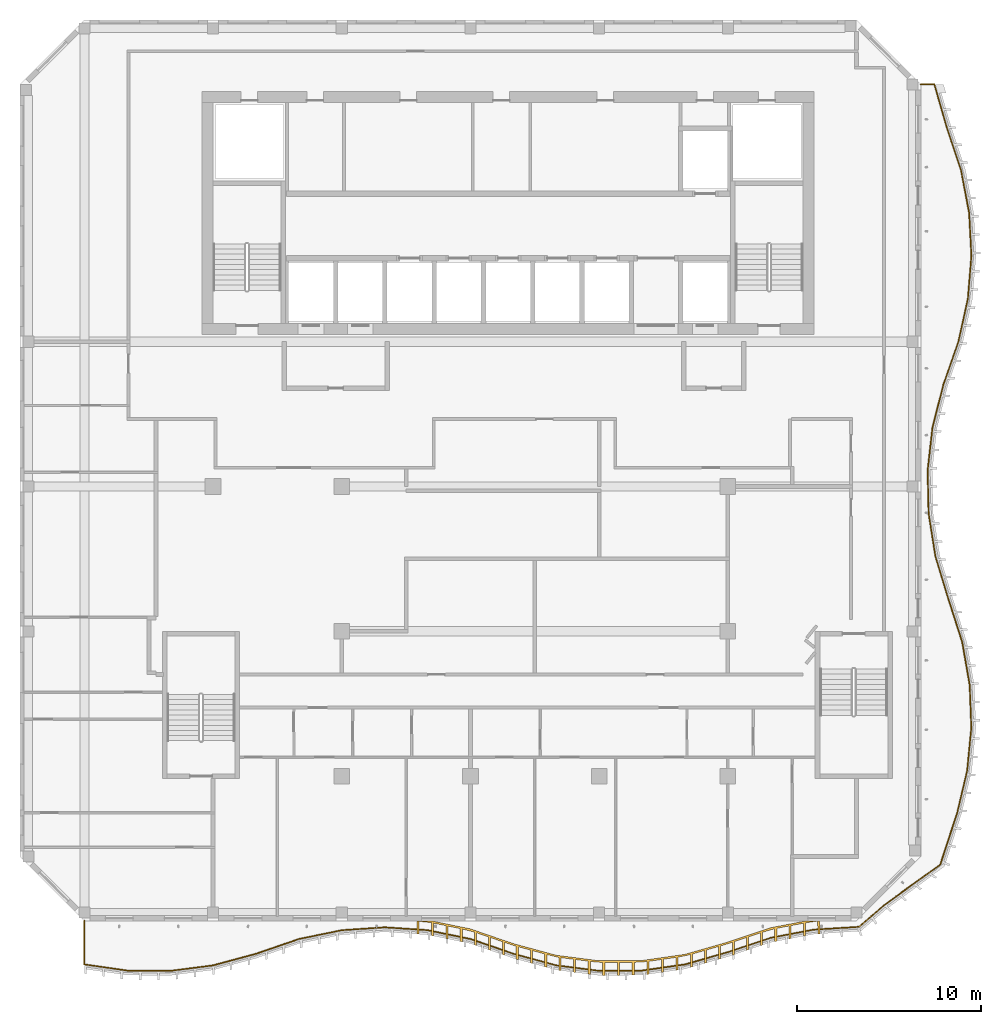
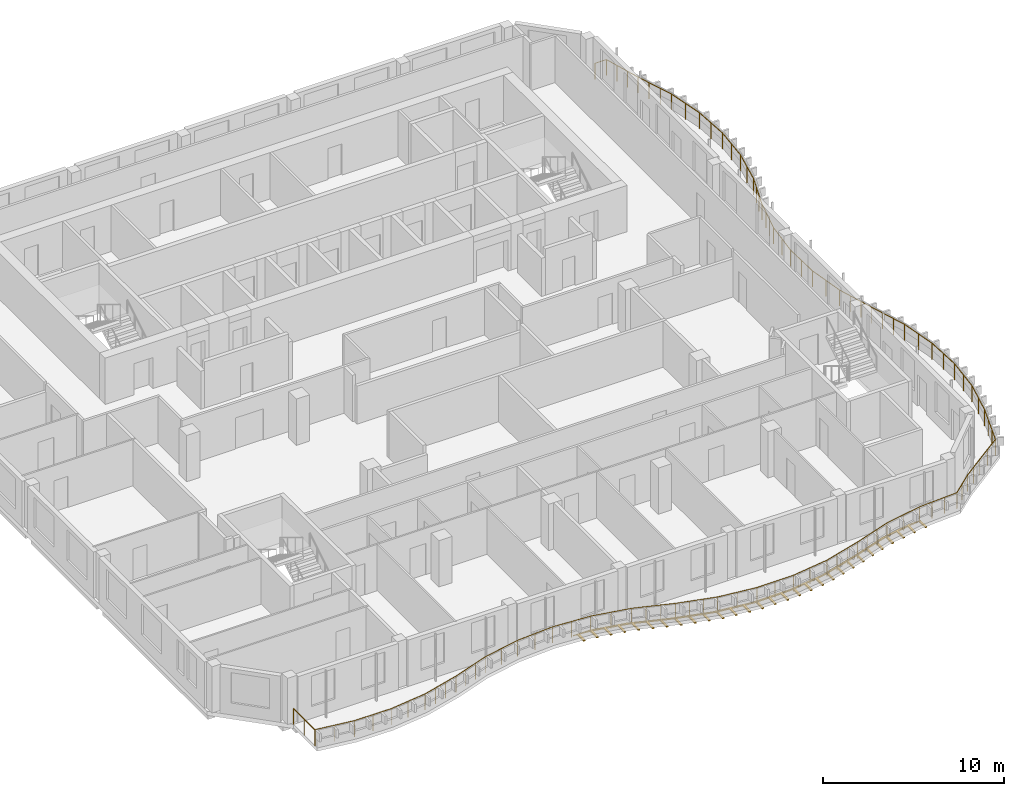
# One storey, part 13 of 17: 1 railing, 1 shading device.
"""IFC4 building model written with IfcOpenShell, lengths in metres."""

import ifcopenshell
import ifcopenshell.guid

model = None  # the IFC model being written
_history = None  # IfcOwnerHistory: only IFC2X3 demands one
_inside = {}  # id of a spatial element -> (the spatial element, [elements in it])
_under = {}  # id of a project, library or spatial element -> (it, [spatial elements below it])
_declared = {}  # id of a project -> (the project, [libraries it declares])
_typed = {}  # id of a type object -> (the type object, [elements of that type])
_made_of = {}  # id of a material, layer set ... -> (it, [elements and type objects made of it])


def new_model(schema):
    """Start an empty IFC model of exactly this schema.

    Asked for "IFC4X3", IfcOpenShell would pick the latest addendum, in which some entities
    have other attributes; the version numbers below select the first issue.
    IFC2X3 requires an IfcOwnerHistory on every rooted entity: one is made here for all.
    """
    global model, _history
    if schema == "IFC4X3":
        model = ifcopenshell.file(schema_version=(4, 3, 0, 0))
    else:
        model = ifcopenshell.file(schema=schema)
    _inside.clear()
    _under.clear()
    _declared.clear()
    _typed.clear()
    _made_of.clear()
    _history = None
    if model.schema == "IFC2X3":
        org = make("IfcOrganization", Name="unknown")
        user = make(
            "IfcPersonAndOrganization",
            ThePerson=make("IfcPerson", FamilyName="unknown"),
            TheOrganization=org,
        )
        app = make(
            "IfcApplication",
            ApplicationDeveloper=org,
            Version="unknown",
            ApplicationFullName="unknown",
            ApplicationIdentifier="unknown",
        )
        _history = make(
            "IfcOwnerHistory",
            OwningUser=user,
            OwningApplication=app,
            ChangeAction="ADDED",
            CreationDate=0,
        )
    return model


def make(cls, **values):
    """One entity of the class cls with the attributes given. An attribute that is None is left unset."""
    return model.create_entity(
        cls, **{name: value for name, value in values.items() if value is not None}
    )


def rooted(cls, **values):
    """An entity with a GlobalId (a new one), such as an element, a storey or a relation."""
    return make(cls, GlobalId=ifcopenshell.guid.new(), OwnerHistory=_history, **values)


def si_unit(unit_type, name, prefix=None):
    """IfcSIUnit, for example si_unit("LENGTHUNIT", "METRE", prefix="MILLI")."""
    return make("IfcSIUnit", UnitType=unit_type, Prefix=prefix, Name=name)


def assignment(units):
    """IfcUnitAssignment: the units of a project."""
    return None if units is None else make("IfcUnitAssignment", Units=units)


def point(xyz):
    """IfcCartesianPoint."""
    return None if xyz is None else make("IfcCartesianPoint", Coordinates=xyz)


def direction(xyz):
    """IfcDirection."""
    return None if xyz is None else make("IfcDirection", DirectionRatios=xyz)


def frame(location, z_axis=None, x_axis=None):
    """IfcAxis2Placement3D, a coordinate frame: its origin and axes. An axis left out is left unset."""
    return make(
        "IfcAxis2Placement3D",
        Location=point(location),
        Axis=direction(z_axis),
        RefDirection=direction(x_axis),
    )


def frame_2d(location, x_axis=None):
    """IfcAxis2Placement2D, a coordinate frame in the plane: its origin and x axis."""
    return make(
        "IfcAxis2Placement2D", Location=point(location), RefDirection=direction(x_axis)
    )


def origin():
    """The frame at (0, 0, 0) with its axes left unset."""
    return frame((0.0, 0.0, 0.0))


def origin_2d():
    """The frame at (0, 0) in the plane with its x axis left unset."""
    return frame_2d((0.0, 0.0))


def place(relative_to, where):
    """IfcLocalPlacement: puts the frame where relative to a parent placement (None: the world)."""
    return make(
        "IfcLocalPlacement", PlacementRelTo=relative_to, RelativePlacement=where
    )


def context(
    kind, dimensions, precision=None, world=None, true_north=None, identifier=None
):
    """IfcGeometricRepresentationContext, for example the 3D "Model" context."""
    return make(
        "IfcGeometricRepresentationContext",
        ContextIdentifier=identifier,
        ContextType=kind,
        CoordinateSpaceDimension=dimensions,
        Precision=precision,
        WorldCoordinateSystem=world,
        TrueNorth=true_north,
    )


def subcontext(parent, identifier, kind, view, scale=None):
    """IfcGeometricRepresentationSubContext, for example "Body" below "Model"."""
    return make(
        "IfcGeometricRepresentationSubContext",
        ContextIdentifier=identifier,
        ContextType=kind,
        ParentContext=parent,
        TargetScale=scale,
        TargetView=view,
    )


def project(units=None, contexts=None):
    """IfcProject with its units and contexts."""
    return rooted(
        "IfcProject",
        Name="project",
        RepresentationContexts=contexts,
        UnitsInContext=assignment(units),
    )


def spatial(cls, under=None, at=None, **own):
    """A site, building, storey or space (cls), placed at a placement, below another one or the project."""
    s = rooted(cls, ObjectPlacement=at, **own)
    if under is not None:
        _under.setdefault(under.id(), (under, []))[1].append(s)
    return s


def polyline(points):
    """IfcPolyline through the points."""
    return make("IfcPolyline", Points=[point(p) for p in points])


def profile(cls, at=None, kind="AREA", **sizes):
    """A parametric profile (cls). Its sizes go by their IFC names, for example OverallWidth=200.0."""
    return make(cls, ProfileType=kind, Position=at, **sizes)


def circle(**sizes):
    """IfcCircleProfileDef."""
    return profile("IfcCircleProfileDef", **sizes)


def outline(outer, holes=None, kind="AREA"):
    """IfcArbitraryClosedProfileDef: a profile drawn as a closed curve; with holes, ...WithVoids."""
    if holes is None:
        return make("IfcArbitraryClosedProfileDef", ProfileType=kind, OuterCurve=outer)
    return make(
        "IfcArbitraryProfileDefWithVoids",
        ProfileType=kind,
        OuterCurve=outer,
        InnerCurves=holes,
    )


def extrude(swept, where, along, depth):
    """IfcExtrudedAreaSolid: the profile swept, set in the frame where, extruded along a direction by depth."""
    return make(
        "IfcExtrudedAreaSolid",
        SweptArea=swept,
        Position=where,
        ExtrudedDirection=direction(along),
        Depth=depth,
    )


def shape(context_of_items, identifier, shape_type, items):
    """IfcShapeRepresentation: the items that make up one representation, for example the "Body"."""
    return make(
        "IfcShapeRepresentation",
        ContextOfItems=context_of_items,
        RepresentationIdentifier=identifier,
        RepresentationType=shape_type,
        Items=items,
    )


def source(mapping_origin, context_of_items, identifier, shape_type, items):
    """IfcRepresentationMap: a shape defined once, which mapped items show again and again."""
    return make(
        "IfcRepresentationMap",
        MappingOrigin=mapping_origin,
        MappedRepresentation=shape(context_of_items, identifier, shape_type, items),
    )


def transform(
    local_origin,
    x_axis=None,
    y_axis=None,
    z_axis=None,
    scale=None,
    scale2=None,
    scale3=None,
    uniform=True,
):
    """IfcCartesianTransformationOperator3D, or its non-uniform kind. x_axis, y_axis, z_axis: its Axis1, 2, 3."""
    if uniform:
        return make(
            "IfcCartesianTransformationOperator3D",
            Axis1=direction(x_axis),
            Axis2=direction(y_axis),
            LocalOrigin=point(local_origin),
            Scale=scale,
            Axis3=direction(z_axis),
        )
    return make(
        "IfcCartesianTransformationOperator3DnonUniform",
        Axis1=direction(x_axis),
        Axis2=direction(y_axis),
        LocalOrigin=point(local_origin),
        Scale=scale,
        Axis3=direction(z_axis),
        Scale2=scale2,
        Scale3=scale3,
    )


def mapped(mapping_source, mapping_target):
    """IfcMappedItem: shows the shape of a source again, moved by a transform."""
    return make(
        "IfcMappedItem", MappingSource=mapping_source, MappingTarget=mapping_target
    )


def material(Name=None, Category=None):
    """IfcMaterial."""
    return make("IfcMaterial", Name=Name, Category=Category)


def layer(
    of_material, thickness, ventilated=None, Name=None, Category=None, Priority=None
):
    """IfcMaterialLayer: one layer of a wall or slab, of a material (None: an air gap)."""
    return make(
        "IfcMaterialLayer",
        Material=of_material,
        LayerThickness=thickness,
        IsVentilated=ventilated,
        Name=Name,
        Category=Category,
        Priority=Priority,
    )


def layer_set(layers, Name=None):
    """IfcMaterialLayerSet."""
    return make("IfcMaterialLayerSet", MaterialLayers=layers, LayerSetName=Name)


def made_of(thing, what):
    """Note that an element or type object is made of a material, layer set ...; save() writes the relation."""
    if what is not None:
        _made_of.setdefault(what.id(), (what, []))[1].append(thing)
    return thing


def type_object(cls, material=None, **own):
    """A type object (cls), such as IfcWallType, which elements share."""
    return made_of(rooted(cls, **own), material)


def element(
    cls,
    number,
    at=None,
    inside=None,
    cuts=None,
    type_object=None,
    material=None,
    context=None,
    identifier="Body",
    shape_type=None,
    held_by="IfcProductDefinitionShape",
    body=None,
    shapes=None,
    **own,
):
    """One element of the class cls, such as IfcWall. Its Tag is "e" and its number.

    at: its placement. inside: the storey or other place that contains it. cuts: it is an
    opening in that element (IfcRelVoidsElement). A single representation is given by context,
    identifier, shape_type and body (its items); several are given by shapes. held_by: the class
    of the entity that holds the representations. save() writes the other relations.
    """
    e = rooted(cls, Tag="e%d" % number, ObjectPlacement=at, **own)
    if body is not None:
        shapes = [shape(context, identifier, shape_type, body)]
    if shapes is not None:
        e.Representation = make(held_by, Representations=shapes)
    if inside is not None:
        _inside.setdefault(inside.id(), (inside, []))[1].append(e)
    if cuts is not None:
        rooted(
            "IfcRelVoidsElement", RelatingBuildingElement=cuts, RelatedOpeningElement=e
        )
    if type_object is not None:
        _typed.setdefault(type_object.id(), (type_object, []))[1].append(e)
    return made_of(e, material)


def aggregate(whole, parts):
    """IfcRelAggregates: a whole, such as a stair, and the parts it consists of."""
    return rooted("IfcRelAggregates", RelatingObject=whole, RelatedObjects=parts)


def save(model, path):
    """Write the relations noted so far, then the file.

    IfcRelAggregates (storeys below a building ...), IfcRelContainedInSpatialStructure (elements
    in a storey), IfcRelDefinesByType, IfcRelAssociatesMaterial and IfcRelDeclares: one each for
    every whole, place, type object, material and project.
    """
    for whole, parts in _under.values():
        aggregate(whole, parts)
    for where, things in _inside.values():
        rooted(
            "IfcRelContainedInSpatialStructure",
            RelatedElements=things,
            RelatingStructure=where,
        )
    for kind, things in _typed.values():
        rooted("IfcRelDefinesByType", RelatedObjects=things, RelatingType=kind)
    for what, things in _made_of.values():
        rooted("IfcRelAssociatesMaterial", RelatedObjects=things, RelatingMaterial=what)
    for by, libraries in _declared.values():
        rooted("IfcRelDeclares", RelatingContext=by, RelatedDefinitions=libraries)
    model.write(path)


model = new_model("IFC4")

# Units and contexts
model_context = context("Model", 3, precision=1e-05, world=origin(), true_north=direction((0.0, 1.0)))
body_context = subcontext(model_context, "Body", "Model", "MODEL_VIEW")
ifc_project = project(units=[si_unit("LENGTHUNIT", "METRE"), si_unit("AREAUNIT", "SQUARE_METRE"), si_unit("VOLUMEUNIT", "CUBIC_METRE"), si_unit("PLANEANGLEUNIT", "RADIAN"), si_unit("MASSUNIT", "GRAM", prefix="KILO")], contexts=[model_context])

# Site, building, storey
site_placement = place(None, origin())
site = spatial("IfcSite", under=ifc_project, at=site_placement, CompositionType="ELEMENT")
building_placement = place(site_placement, origin())
building = spatial("IfcBuilding", under=site, at=building_placement, Name="Kilnfold Tower and Market Hall", CompositionType="ELEMENT")
storey_placement = place(building_placement, frame((0.0, 0.0, 298.39990234375)))
storey = spatial("IfcBuildingStorey", under=building, at=storey_placement, Name="L74", CompositionType="ELEMENT", Elevation=298.39990234375)

# Railing
ifc_material_1 = material(Name="Stainless steel and laminated glass", Category="steel")
railing_type = type_object("IfcRailingType", Name="GUARD 1100", PredefinedType="GUARDRAIL", material=ifc_material_1)
railing_placement = place(storey_placement, frame((-22.0, -23.5, 0.0)))
element("IfcRailing", 1, at=railing_placement, inside=storey, type_object=railing_type, Name="Guard balcony L74", PredefinedType="GUARDRAIL", context=body_context, shape_type="SweptSolid", body=[
    extrude(circle(Radius=0.02490234375, at=origin_2d()), frame((0.0, 0.0, 1.0751953125), z_axis=(0.0, -1.0, 0.0), x_axis=(1.0, 0.0, 0.0)), (0.0, 0.0, 1.0), 2.367431640625),
    extrude(circle(Radius=0.02490234375, at=origin_2d()), frame((0.0, -2.367431640625, 1.0751953125), z_axis=(0.989895561273, -0.141798370135, 0.0), x_axis=(0.141798370135, 0.989895561273, 0.0)), (0.0, 0.0, 1.0), 2.357177734375),
    extrude(circle(Radius=0.02490234375, at=origin_2d()), frame((2.333251953125, -2.70166015625, 1.0751953125), z_axis=(0.999971628489, -0.007532742964, 0.0), x_axis=(0.007532742964, 0.999971628489, 0.0)), (0.0, 0.0, 1.0), 2.33349609375),
    extrude(circle(Radius=0.02490234375, at=origin_2d()), frame((4.666748046875, -2.71923828125, 1.0751953125), z_axis=(0.99192423952, 0.126831790383, 0.0), x_axis=(-0.126831790383, 0.99192423952, 0.0)), (0.0, 0.0, 1.0), 2.352294921875),
    extrude(circle(Radius=0.02490234375, at=origin_2d()), frame((7.0, -2.4208984375, 1.0751953125), z_axis=(0.965337259398, 0.261005700354, 0.0), x_axis=(-0.261005700354, 0.965337259398, 0.0)), (0.0, 0.0, 1.0), 2.4169921875),
    extrude(circle(Radius=0.02490234375, at=origin_2d()), frame((9.333251953125, -1.7900390625, 1.0751953125), z_axis=(0.945673291231, 0.325118480329, 0.0), x_axis=(-0.325118480329, 0.945673291231, 0.0)), (0.0, 0.0, 1.0), 2.467529296875),
    extrude(circle(Radius=0.02490234375, at=origin_2d()), frame((11.666748046875, -0.98779296875, 1.0751953125), z_axis=(0.979469543954, 0.201592193466, 0.0), x_axis=(-0.201592193466, 0.979469543954, 0.0)), (0.0, 0.0, 1.0), 2.382080078125),
    extrude(circle(Radius=0.02490234375, at=origin_2d()), frame((14.0, -0.507568359375, 1.0751953125), z_axis=(0.99773031424, 0.06733661742, 0.0), x_axis=(-0.06733661742, 0.99773031424, 0.0)), (0.0, 0.0, 1.0), 2.338623046875),
    extrude(circle(Radius=0.02490234375, at=origin_2d()), frame((16.333251953125, -0.35009765625, 1.0751953125), z_axis=(0.997765715392, -0.066810008145, 0.0), x_axis=(0.066810008145, 0.997765715392, 0.0)), (0.0, 0.0, 1.0), 2.338623046875),
    extrude(circle(Radius=0.02490234375, at=origin_2d()), frame((18.666748046875, -0.50634765625, 1.0751953125), z_axis=(0.979550417404, -0.201198856269, 0.0), x_axis=(0.201198856269, 0.979550417404, 0.0)), (0.0, 0.0, 1.0), 2.382080078125),
    extrude(circle(Radius=0.02490234375, at=origin_2d()), frame((21.0, -0.985595703125, 1.0751953125), z_axis=(0.945754078671, -0.324883398585, 0.0), x_axis=(0.324883398585, 0.945754078671, 0.0)), (0.0, 0.0, 1.0), 2.467041015625),
    extrude(circle(Radius=0.02490234375, at=origin_2d()), frame((23.333251953125, -1.787109375, 1.0751953125), z_axis=(0.965216815859, -0.261450757089, 0.0), x_axis=(0.261450757089, 0.965216815859, 0.0)), (0.0, 0.0, 1.0), 2.41748046875),
    extrude(circle(Radius=0.02490234375, at=origin_2d()), frame((25.666748046875, -2.419189453125, 1.0751953125), z_axis=(0.991871927753, -0.12724024102, 0.0), x_axis=(0.12724024102, 0.991871927753, 0.0)), (0.0, 0.0, 1.0), 2.352294921875),
    extrude(circle(Radius=0.02490234375, at=origin_2d()), frame((28.0, -2.718505859375, 1.0751953125), z_axis=(0.999976154899, 0.006905768151, 0.0), x_axis=(-0.006905768151, 0.999976154899, 0.0)), (0.0, 0.0, 1.0), 2.333251953125),
    extrude(circle(Radius=0.02490234375, at=origin_2d()), frame((30.333251953125, -2.702392578125, 1.0751953125), z_axis=(0.989970198048, 0.141276349669, 0.0), x_axis=(-0.141276349669, 0.989970198048, 0.0)), (0.0, 0.0, 1.0), 2.357177734375),
    extrude(circle(Radius=0.02490234375, at=origin_2d()), frame((32.666748046875, -2.369384765625, 1.0751953125), z_axis=(0.961273038942, 0.275597794988, 0.0), x_axis=(-0.275597794988, 0.961273038942, 0.0)), (0.0, 0.0, 1.0), 2.42724609375),
    extrude(circle(Radius=0.02490234375, at=origin_2d()), frame((35.0, -1.700439453125, 1.0751953125), z_axis=(0.948315517581, 0.317328976167, 0.0), x_axis=(-0.317328976167, 0.948315517581, 0.0)), (0.0, 0.0, 1.0), 2.46044921875),
    extrude(circle(Radius=0.02490234375, at=origin_2d()), frame((37.333251953125, -0.919677734375, 1.0751953125), z_axis=(0.982349359821, 0.187055433655, 0.0), x_axis=(-0.187055433655, 0.982349359821, 0.0)), (0.0, 0.0, 1.0), 2.37548828125),
    extrude(circle(Radius=0.02490234375, at=origin_2d()), frame((39.666748046875, -0.475341796875, 1.0751953125), z_axis=(0.998148203241, 0.060828976375, 0.0), x_axis=(-0.060828976375, 0.998148203241, 0.0)), (0.0, 0.0, 1.0), 2.472412109375),
    extrude(circle(Radius=0.02490234375, at=origin_2d()), frame((42.134521484375, -0.324951171875, 1.0751953125), z_axis=(0.756166085744, 0.654379745079, 0.0), x_axis=(-0.654379745079, 0.756166085744, 0.0)), (0.0, 0.0, 1.0), 1.789306640625),
    extrude(circle(Radius=0.02490234375, at=origin_2d()), frame((43.487548828125, 0.845947265625, 1.0751953125), z_axis=(0.809045692542, 0.587745750626, 0.0), x_axis=(-0.587745750626, 0.809045692542, 0.0)), (0.0, 0.0, 1.0), 1.670166015625),
    extrude(circle(Radius=0.02490234375, at=origin_2d()), frame((44.8388671875, 1.82763671875, 1.0751953125), z_axis=(0.81192818967, 0.583757325281, 0.0), x_axis=(-0.583757325281, 0.81192818967, 0.0)), (0.0, 0.0, 1.0), 2.115478515625),
    extrude(circle(Radius=0.02490234375, at=origin_2d()), frame((46.556396484375, 3.0625, 1.0751953125), z_axis=(0.311098196184, 0.950377773483, 0.0), x_axis=(-0.950377773483, 0.311098196184, 0.0)), (0.0, 0.0, 1.0), 2.91552734375),
    extrude(circle(Radius=0.02490234375, at=origin_2d()), frame((47.46337890625, 5.833251953125, 1.0751953125), z_axis=(0.230684535905, 0.973028594078, 0.0), x_axis=(-0.973028594078, 0.230684535905, 0.0)), (0.0, 0.0, 1.0), 2.398193359375),
    extrude(circle(Radius=0.02490234375, at=origin_2d()), frame((48.0166015625, 8.166748046875, 1.0751953125), z_axis=(0.09644068921, 0.995338733027, 0.0), x_axis=(-0.995338733027, 0.09644068921, 0.0)), (0.0, 0.0, 1.0), 2.34423828125),
    extrude(circle(Radius=0.02490234375, at=origin_2d()), frame((48.24267578125, 10.5, 1.0751953125), z_axis=(-0.037850851806, 0.999283399751, 0.0), x_axis=(-0.999283399751, -0.037850851806, 0.0)), (0.0, 0.0, 1.0), 2.3349609375),
    extrude(circle(Radius=0.02490234375, at=origin_2d()), frame((48.154296875, 12.833251953125, 1.0751953125), z_axis=(-0.172115324053, 0.985076806765, 0.0), x_axis=(-0.985076806765, -0.172115324053, 0.0)), (0.0, 0.0, 1.0), 2.368896484375),
    extrude(circle(Radius=0.02490234375, at=origin_2d()), frame((47.74658203125, 15.166748046875, 1.0751953125), z_axis=(-0.305928563149, 0.952054470211, 0.0), x_axis=(-0.952054470211, -0.305928563149, 0.0)), (0.0, 0.0, 1.0), 2.45068359375),
    extrude(circle(Radius=0.02490234375, at=origin_2d()), frame((46.996826171875, 17.5, 1.0751953125), z_axis=(-0.290551994685, 0.9568592051, 0.0), x_axis=(-0.9568592051, -0.290551994685, 0.0)), (0.0, 0.0, 1.0), 2.4384765625),
    extrude(circle(Radius=0.02490234375, at=origin_2d()), frame((46.288330078125, 19.833251953125, 1.0751953125), z_axis=(-0.156249124184, 0.987717677878, 0.0), x_axis=(-0.987717677878, -0.156249124184, 0.0)), (0.0, 0.0, 1.0), 2.362548828125),
    extrude(circle(Radius=0.02490234375, at=origin_2d()), frame((45.919189453125, 22.166748046875, 1.0751953125), z_axis=(-0.022072679063, 0.999756368741, 0.0), x_axis=(-0.999756368741, -0.022072679063, 0.0)), (0.0, 0.0, 1.0), 2.333740234375),
    extrude(circle(Radius=0.02490234375, at=origin_2d()), frame((45.86767578125, 24.5, 1.0751953125), z_axis=(0.112188780703, 0.993686911197, 0.0), x_axis=(-0.993686911197, 0.112188780703, 0.0)), (0.0, 0.0, 1.0), 2.34814453125),
    extrude(circle(Radius=0.02490234375, at=origin_2d()), frame((46.131103515625, 26.833251953125, 1.0751953125), z_axis=(0.246494018044, 0.969144312819, 0.0), x_axis=(-0.969144312819, 0.246494018044, 0.0)), (0.0, 0.0, 1.0), 2.40771484375),
    extrude(circle(Radius=0.02490234375, at=origin_2d()), frame((46.724609375, 29.166748046875, 1.0751953125), z_axis=(0.329826773336, 0.94404147133, 0.0), x_axis=(-0.94404147133, 0.329826773336, 0.0)), (0.0, 0.0, 1.0), 2.471435546875),
    extrude(circle(Radius=0.02490234375, at=origin_2d()), frame((47.539794921875, 31.5, 1.0751953125), z_axis=(0.216173197439, 0.976355032101, 0.0), x_axis=(-0.976355032101, 0.216173197439, 0.0)), (0.0, 0.0, 1.0), 2.3896484375),
    extrude(circle(Radius=0.02490234375, at=origin_2d()), frame((48.056396484375, 33.833251953125, 1.0751953125), z_axis=(0.081854547458, 0.996644286122, 0.0), x_axis=(-0.996644286122, 0.081854547458, 0.0)), (0.0, 0.0, 1.0), 2.34130859375),
    extrude(circle(Radius=0.02490234375, at=origin_2d()), frame((48.248046875, 36.166748046875, 1.0751953125), z_axis=(-0.052350425547, 0.998628776345, 0.0), x_axis=(-0.998628776345, -0.052350425547, 0.0)), (0.0, 0.0, 1.0), 2.33642578125),
    extrude(circle(Radius=0.02490234375, at=origin_2d()), frame((48.125732421875, 38.5, 1.0751953125), z_axis=(-0.186578295678, 0.982440094653, 0.0), x_axis=(-0.982440094653, -0.186578295678, 0.0)), (0.0, 0.0, 1.0), 2.375),
    extrude(circle(Radius=0.02490234375, at=origin_2d()), frame((47.6826171875, 40.833251953125, 1.0751953125), z_axis=(-0.317031394089, 0.948415043724, 0.0), x_axis=(-0.948415043724, -0.317031394089, 0.0)), (0.0, 0.0, 1.0), 2.46044921875),
    extrude(circle(Radius=0.02490234375, at=origin_2d()), frame((46.902587890625, 43.166748046875, 1.0751953125), z_axis=(-0.276062415489, 0.96113971032, 0.0), x_axis=(-0.96113971032, -0.276062415489, 0.0)), (0.0, 0.0, 1.0), 2.427490234375),
    extrude(circle(Radius=0.02490234375, at=origin_2d()), frame((46.232421875, 45.5, 1.0751953125), z_axis=(-1.0, 0.0, 0.0), x_axis=(0.0, -1.0, 0.0)), (0.0, 0.0, 1.0), 0.732421875),
    extrude(circle(Radius=0.02490234375, at=origin_2d()), origin(), (0.0, 0.0, 1.0), 1.050048828125),
    extrude(circle(Radius=0.02490234375, at=origin_2d()), frame((0.0, -1.18359375, 0.0)), (0.0, 0.0, 1.0), 1.050048828125),
    extrude(circle(Radius=0.02490234375, at=origin_2d()), frame((0.0, -2.367431640625, 0.0)), (0.0, 0.0, 1.0), 1.050048828125),
    extrude(circle(Radius=0.02490234375, at=origin_2d()), frame((1.16650390625, -2.53466796875, 0.0)), (0.0, 0.0, 1.0), 1.050048828125),
    extrude(circle(Radius=0.02490234375, at=origin_2d()), frame((2.333251953125, -2.70166015625, 0.0)), (0.0, 0.0, 1.0), 1.050048828125),
    extrude(circle(Radius=0.02490234375, at=origin_2d()), frame((3.5, -2.71044921875, 0.0)), (0.0, 0.0, 1.0), 1.050048828125),
    extrude(circle(Radius=0.02490234375, at=origin_2d()), frame((4.666748046875, -2.71923828125, 0.0)), (0.0, 0.0, 1.0), 1.050048828125),
    extrude(circle(Radius=0.02490234375, at=origin_2d()), frame((5.83349609375, -2.570068359375, 0.0)), (0.0, 0.0, 1.0), 1.050048828125),
    extrude(circle(Radius=0.02490234375, at=origin_2d()), frame((7.0, -2.4208984375, 0.0)), (0.0, 0.0, 1.0), 1.050048828125),
    extrude(circle(Radius=0.02490234375, at=origin_2d()), frame((7.77783203125, -2.210693359375, 0.0)), (0.0, 0.0, 1.0), 1.050048828125),
    extrude(circle(Radius=0.02490234375, at=origin_2d()), frame((8.555419921875, -2.000244140625, 0.0)), (0.0, 0.0, 1.0), 1.050048828125),
    extrude(circle(Radius=0.02490234375, at=origin_2d()), frame((9.333251953125, -1.7900390625, 0.0)), (0.0, 0.0, 1.0), 1.050048828125),
    extrude(circle(Radius=0.02490234375, at=origin_2d()), frame((10.111083984375, -1.522705078125, 0.0)), (0.0, 0.0, 1.0), 1.050048828125),
    extrude(circle(Radius=0.02490234375, at=origin_2d()), frame((10.888916015625, -1.255126953125, 0.0)), (0.0, 0.0, 1.0), 1.050048828125),
    extrude(circle(Radius=0.02490234375, at=origin_2d()), frame((11.666748046875, -0.98779296875, 0.0)), (0.0, 0.0, 1.0), 1.050048828125),
    extrude(circle(Radius=0.02490234375, at=origin_2d()), frame((12.83349609375, -0.74755859375, 0.0)), (0.0, 0.0, 1.0), 1.050048828125),
    extrude(circle(Radius=0.02490234375, at=origin_2d()), frame((14.0, -0.507568359375, 0.0)), (0.0, 0.0, 1.0), 1.050048828125),
    extrude(circle(Radius=0.02490234375, at=origin_2d()), frame((15.16650390625, -0.4287109375, 0.0)), (0.0, 0.0, 1.0), 1.050048828125),
    extrude(circle(Radius=0.02490234375, at=origin_2d()), frame((16.333251953125, -0.35009765625, 0.0)), (0.0, 0.0, 1.0), 1.050048828125),
    extrude(circle(Radius=0.02490234375, at=origin_2d()), frame((17.5, -0.42822265625, 0.0)), (0.0, 0.0, 1.0), 1.050048828125),
    extrude(circle(Radius=0.02490234375, at=origin_2d()), frame((18.666748046875, -0.50634765625, 0.0)), (0.0, 0.0, 1.0), 1.050048828125),
    extrude(circle(Radius=0.02490234375, at=origin_2d()), frame((19.83349609375, -0.74609375, 0.0)), (0.0, 0.0, 1.0), 1.050048828125),
    extrude(circle(Radius=0.02490234375, at=origin_2d()), frame((21.0, -0.985595703125, 0.0)), (0.0, 0.0, 1.0), 1.050048828125),
    extrude(circle(Radius=0.02490234375, at=origin_2d()), frame((21.77783203125, -1.252685546875, 0.0)), (0.0, 0.0, 1.0), 1.050048828125),
    extrude(circle(Radius=0.02490234375, at=origin_2d()), frame((22.555419921875, -1.52001953125, 0.0)), (0.0, 0.0, 1.0), 1.050048828125),
    extrude(circle(Radius=0.02490234375, at=origin_2d()), frame((23.333251953125, -1.787109375, 0.0)), (0.0, 0.0, 1.0), 1.050048828125),
    extrude(circle(Radius=0.02490234375, at=origin_2d()), frame((24.111083984375, -1.997802734375, 0.0)), (0.0, 0.0, 1.0), 1.050048828125),
    extrude(circle(Radius=0.02490234375, at=origin_2d()), frame((24.888916015625, -2.20849609375, 0.0)), (0.0, 0.0, 1.0), 1.050048828125),
    extrude(circle(Radius=0.02490234375, at=origin_2d()), frame((25.666748046875, -2.419189453125, 0.0)), (0.0, 0.0, 1.0), 1.050048828125),
    extrude(circle(Radius=0.02490234375, at=origin_2d()), frame((26.83349609375, -2.56884765625, 0.0)), (0.0, 0.0, 1.0), 1.050048828125),
    extrude(circle(Radius=0.02490234375, at=origin_2d()), frame((28.0, -2.718505859375, 0.0)), (0.0, 0.0, 1.0), 1.050048828125),
    extrude(circle(Radius=0.02490234375, at=origin_2d()), frame((29.16650390625, -2.71044921875, 0.0)), (0.0, 0.0, 1.0), 1.050048828125),
    extrude(circle(Radius=0.02490234375, at=origin_2d()), frame((30.333251953125, -2.702392578125, 0.0)), (0.0, 0.0, 1.0), 1.050048828125),
    extrude(circle(Radius=0.02490234375, at=origin_2d()), frame((31.5, -2.535888671875, 0.0)), (0.0, 0.0, 1.0), 1.050048828125),
    extrude(circle(Radius=0.02490234375, at=origin_2d()), frame((32.666748046875, -2.369384765625, 0.0)), (0.0, 0.0, 1.0), 1.050048828125),
    extrude(circle(Radius=0.02490234375, at=origin_2d()), frame((33.444580078125, -2.146484375, 0.0)), (0.0, 0.0, 1.0), 1.050048828125),
    extrude(circle(Radius=0.02490234375, at=origin_2d()), frame((34.22216796875, -1.92333984375, 0.0)), (0.0, 0.0, 1.0), 1.050048828125),
    extrude(circle(Radius=0.02490234375, at=origin_2d()), frame((35.0, -1.700439453125, 0.0)), (0.0, 0.0, 1.0), 1.050048828125),
    extrude(circle(Radius=0.02490234375, at=origin_2d()), frame((35.77783203125, -1.440185546875, 0.0)), (0.0, 0.0, 1.0), 1.050048828125),
    extrude(circle(Radius=0.02490234375, at=origin_2d()), frame((36.555419921875, -1.179931640625, 0.0)), (0.0, 0.0, 1.0), 1.050048828125),
    extrude(circle(Radius=0.02490234375, at=origin_2d()), frame((37.333251953125, -0.919677734375, 0.0)), (0.0, 0.0, 1.0), 1.050048828125),
    extrude(circle(Radius=0.02490234375, at=origin_2d()), frame((38.5, -0.697509765625, 0.0)), (0.0, 0.0, 1.0), 1.050048828125),
    extrude(circle(Radius=0.02490234375, at=origin_2d()), frame((39.666748046875, -0.475341796875, 0.0)), (0.0, 0.0, 1.0), 1.050048828125),
    extrude(circle(Radius=0.02490234375, at=origin_2d()), frame((40.4892578125, -0.42529296875, 0.0)), (0.0, 0.0, 1.0), 1.050048828125),
    extrude(circle(Radius=0.02490234375, at=origin_2d()), frame((41.31201171875, -0.375, 0.0)), (0.0, 0.0, 1.0), 1.050048828125),
    extrude(circle(Radius=0.02490234375, at=origin_2d()), frame((42.134521484375, -0.324951171875, 0.0)), (0.0, 0.0, 1.0), 1.050048828125),
    extrude(circle(Radius=0.02490234375, at=origin_2d()), frame((42.81103515625, 0.260498046875, 0.0)), (0.0, 0.0, 1.0), 1.050048828125),
    extrude(circle(Radius=0.02490234375, at=origin_2d()), frame((43.487548828125, 0.845947265625, 0.0)), (0.0, 0.0, 1.0), 1.050048828125),
    extrude(circle(Radius=0.02490234375, at=origin_2d()), frame((44.1630859375, 1.3369140625, 0.0)), (0.0, 0.0, 1.0), 1.050048828125),
    extrude(circle(Radius=0.02490234375, at=origin_2d()), frame((44.8388671875, 1.82763671875, 0.0)), (0.0, 0.0, 1.0), 1.050048828125),
    extrude(circle(Radius=0.02490234375, at=origin_2d()), frame((45.69775390625, 2.445068359375, 0.0)), (0.0, 0.0, 1.0), 1.050048828125),
    extrude(circle(Radius=0.02490234375, at=origin_2d()), frame((46.556396484375, 3.0625, 0.0)), (0.0, 0.0, 1.0), 1.050048828125),
    extrude(circle(Radius=0.02490234375, at=origin_2d()), frame((46.858642578125, 3.986083984375, 0.0)), (0.0, 0.0, 1.0), 1.050048828125),
    extrude(circle(Radius=0.02490234375, at=origin_2d()), frame((47.1611328125, 4.90966796875, 0.0)), (0.0, 0.0, 1.0), 1.050048828125),
    extrude(circle(Radius=0.02490234375, at=origin_2d()), frame((47.46337890625, 5.833251953125, 0.0)), (0.0, 0.0, 1.0), 1.050048828125),
    extrude(circle(Radius=0.02490234375, at=origin_2d()), frame((47.739990234375, 7.0, 0.0)), (0.0, 0.0, 1.0), 1.050048828125),
    extrude(circle(Radius=0.02490234375, at=origin_2d()), frame((48.0166015625, 8.166748046875, 0.0)), (0.0, 0.0, 1.0), 1.050048828125),
    extrude(circle(Radius=0.02490234375, at=origin_2d()), frame((48.129638671875, 9.33349609375, 0.0)), (0.0, 0.0, 1.0), 1.050048828125),
    extrude(circle(Radius=0.02490234375, at=origin_2d()), frame((48.24267578125, 10.5, 0.0)), (0.0, 0.0, 1.0), 1.050048828125),
    extrude(circle(Radius=0.02490234375, at=origin_2d()), frame((48.198486328125, 11.66650390625, 0.0)), (0.0, 0.0, 1.0), 1.050048828125),
    extrude(circle(Radius=0.02490234375, at=origin_2d()), frame((48.154296875, 12.833251953125, 0.0)), (0.0, 0.0, 1.0), 1.050048828125),
    extrude(circle(Radius=0.02490234375, at=origin_2d()), frame((47.950439453125, 14.0, 0.0)), (0.0, 0.0, 1.0), 1.050048828125),
    extrude(circle(Radius=0.02490234375, at=origin_2d()), frame((47.74658203125, 15.166748046875, 0.0)), (0.0, 0.0, 1.0), 1.050048828125),
    extrude(circle(Radius=0.02490234375, at=origin_2d()), frame((47.49658203125, 15.944580078125, 0.0)), (0.0, 0.0, 1.0), 1.050048828125),
    extrude(circle(Radius=0.02490234375, at=origin_2d()), frame((47.246826171875, 16.72216796875, 0.0)), (0.0, 0.0, 1.0), 1.050048828125),
    extrude(circle(Radius=0.02490234375, at=origin_2d()), frame((46.996826171875, 17.5, 0.0)), (0.0, 0.0, 1.0), 1.050048828125),
    extrude(circle(Radius=0.02490234375, at=origin_2d()), frame((46.7607421875, 18.27783203125, 0.0)), (0.0, 0.0, 1.0), 1.050048828125),
    extrude(circle(Radius=0.02490234375, at=origin_2d()), frame((46.5244140625, 19.055419921875, 0.0)), (0.0, 0.0, 1.0), 1.050048828125),
    extrude(circle(Radius=0.02490234375, at=origin_2d()), frame((46.288330078125, 19.833251953125, 0.0)), (0.0, 0.0, 1.0), 1.050048828125),
    extrude(circle(Radius=0.02490234375, at=origin_2d()), frame((46.103759765625, 21.0, 0.0)), (0.0, 0.0, 1.0), 1.050048828125),
    extrude(circle(Radius=0.02490234375, at=origin_2d()), frame((45.919189453125, 22.166748046875, 0.0)), (0.0, 0.0, 1.0), 1.050048828125),
    extrude(circle(Radius=0.02490234375, at=origin_2d()), frame((45.8935546875, 23.33349609375, 0.0)), (0.0, 0.0, 1.0), 1.050048828125),
    extrude(circle(Radius=0.02490234375, at=origin_2d()), frame((45.86767578125, 24.5, 0.0)), (0.0, 0.0, 1.0), 1.050048828125),
    extrude(circle(Radius=0.02490234375, at=origin_2d()), frame((45.99951171875, 25.66650390625, 0.0)), (0.0, 0.0, 1.0), 1.050048828125),
    extrude(circle(Radius=0.02490234375, at=origin_2d()), frame((46.131103515625, 26.833251953125, 0.0)), (0.0, 0.0, 1.0), 1.050048828125),
    extrude(circle(Radius=0.02490234375, at=origin_2d()), frame((46.328857421875, 27.611083984375, 0.0)), (0.0, 0.0, 1.0), 1.050048828125),
    extrude(circle(Radius=0.02490234375, at=origin_2d()), frame((46.52685546875, 28.388916015625, 0.0)), (0.0, 0.0, 1.0), 1.050048828125),
    extrude(circle(Radius=0.02490234375, at=origin_2d()), frame((46.724609375, 29.166748046875, 0.0)), (0.0, 0.0, 1.0), 1.050048828125),
    extrude(circle(Radius=0.02490234375, at=origin_2d()), frame((46.996337890625, 29.944580078125, 0.0)), (0.0, 0.0, 1.0), 1.050048828125),
    extrude(circle(Radius=0.02490234375, at=origin_2d()), frame((47.26806640625, 30.72216796875, 0.0)), (0.0, 0.0, 1.0), 1.050048828125),
    extrude(circle(Radius=0.02490234375, at=origin_2d()), frame((47.539794921875, 31.5, 0.0)), (0.0, 0.0, 1.0), 1.050048828125),
    extrude(circle(Radius=0.02490234375, at=origin_2d()), frame((47.798095703125, 32.66650390625, 0.0)), (0.0, 0.0, 1.0), 1.050048828125),
    extrude(circle(Radius=0.02490234375, at=origin_2d()), frame((48.056396484375, 33.833251953125, 0.0)), (0.0, 0.0, 1.0), 1.050048828125),
    extrude(circle(Radius=0.02490234375, at=origin_2d()), frame((48.15234375, 35.0, 0.0)), (0.0, 0.0, 1.0), 1.050048828125),
    extrude(circle(Radius=0.02490234375, at=origin_2d()), frame((48.248046875, 36.166748046875, 0.0)), (0.0, 0.0, 1.0), 1.050048828125),
    extrude(circle(Radius=0.02490234375, at=origin_2d()), frame((48.18701171875, 37.33349609375, 0.0)), (0.0, 0.0, 1.0), 1.050048828125),
    extrude(circle(Radius=0.02490234375, at=origin_2d()), frame((48.125732421875, 38.5, 0.0)), (0.0, 0.0, 1.0), 1.050048828125),
    extrude(circle(Radius=0.02490234375, at=origin_2d()), frame((47.904296875, 39.66650390625, 0.0)), (0.0, 0.0, 1.0), 1.050048828125),
    extrude(circle(Radius=0.02490234375, at=origin_2d()), frame((47.6826171875, 40.833251953125, 0.0)), (0.0, 0.0, 1.0), 1.050048828125),
    extrude(circle(Radius=0.02490234375, at=origin_2d()), frame((47.422607421875, 41.611083984375, 0.0)), (0.0, 0.0, 1.0), 1.050048828125),
    extrude(circle(Radius=0.02490234375, at=origin_2d()), frame((47.16259765625, 42.388916015625, 0.0)), (0.0, 0.0, 1.0), 1.050048828125),
    extrude(circle(Radius=0.02490234375, at=origin_2d()), frame((46.902587890625, 43.166748046875, 0.0)), (0.0, 0.0, 1.0), 1.050048828125),
    extrude(circle(Radius=0.02490234375, at=origin_2d()), frame((46.67919921875, 43.944580078125, 0.0)), (0.0, 0.0, 1.0), 1.050048828125),
    extrude(circle(Radius=0.02490234375, at=origin_2d()), frame((46.455810546875, 44.72216796875, 0.0)), (0.0, 0.0, 1.0), 1.050048828125),
    extrude(circle(Radius=0.02490234375, at=origin_2d()), frame((46.232421875, 45.5, 0.0)), (0.0, 0.0, 1.0), 1.050048828125),
    extrude(circle(Radius=0.02490234375, at=origin_2d()), frame((45.5, 45.5, 0.0)), (0.0, 0.0, 1.0), 1.050048828125),
])

# Shading device
ifc_material_2 = material(Name="Bronze anodised aluminium", Category="aluminium")
ifc_layer = layer(ifc_material_2, 0.080078125)
ifc_layer_set = layer_set([ifc_layer], Name="Bronze anodised aluminium")
shading_device_type = type_object("IfcShadingDeviceType", Name="BRONZE SLAT SOFFIT 80", PredefinedType="USERDEFINED", material=ifc_layer_set)
shared_shape = source(origin(), body_context, "Body", "SweptSolid", [
    extrude(outline(polyline([(-1.0, -23.935546875), (1.333251953125, -24.737060546875), (3.666748046875, -25.369384765625), (6.0, -25.668701171875), (8.333251953125, -25.65234375), (10.666748046875, -25.3193359375), (13.0, -24.650390625), (15.333251953125, -23.86962890625), (17.2744140625, -23.5), (18.030517578125, -23.5), (17.988525390625, -23.502685546875), (18.026611328125, -24.201416015625), (17.90673828125, -24.20947265625), (17.881591796875, -23.510009765625), (17.235107421875, -23.607421875), (17.235107421875, -24.3076171875), (17.1171875, -24.330078125), (17.1171875, -23.6298828125), (16.44921875, -23.757080078125), (16.44921875, -24.457275390625), (16.331298828125, -24.4794921875), (16.331298828125, -23.779541015625), (15.663330078125, -23.90673828125), (15.663330078125, -24.606689453125), (15.54541015625, -24.62939453125), (15.54541015625, -23.92919921875), (14.893310546875, -24.116943359375), (14.893310546875, -24.81689453125), (14.779296875, -24.85498046875), (14.779296875, -24.155029296875), (14.134521484375, -24.370849609375), (14.134521484375, -25.07080078125), (14.020751953125, -25.10888671875), (14.020751953125, -24.408935546875), (13.3759765625, -24.624755859375), (13.3759765625, -25.32470703125), (13.26220703125, -25.36279296875), (13.26220703125, -24.662841796875), (12.612060546875, -24.86181640625), (12.612060546875, -25.561767578125), (12.49658203125, -25.5947265625), (12.49658203125, -24.894775390625), (11.843017578125, -25.08203125), (11.843017578125, -25.781982421875), (11.727783203125, -25.815185546875), (11.727783203125, -25.115234375), (11.073974609375, -25.302490234375), (11.073974609375, -26.002685546875), (10.95849609375, -26.03564453125), (10.95849609375, -25.335693359375), (10.294189453125, -25.472412109375), (10.294189453125, -26.172607421875), (10.17529296875, -26.189453125), (10.17529296875, -25.489501953125), (9.502197265625, -25.58544921875), (9.502197265625, -26.285400390625), (9.38330078125, -26.302490234375), (9.38330078125, -25.602294921875), (8.710205078125, -25.698486328125), (8.710205078125, -26.3984375), (8.59130859375, -26.41552734375), (8.59130859375, -25.715576171875), (7.9140625, -25.755126953125), (7.9140625, -26.455078125), (7.7939453125, -26.4560546875), (7.7939453125, -25.756103515625), (7.114013671875, -25.7607421875), (7.114013671875, -26.460693359375), (6.993896484375, -26.461669921875), (6.993896484375, -25.76171875), (6.314208984375, -25.766357421875), (6.314208984375, -26.46630859375), (6.194091796875, -26.46728515625), (6.194091796875, -25.76708984375), (5.51806640625, -25.706787109375), (5.51806640625, -26.40673828125), (5.39892578125, -26.3916015625), (5.39892578125, -25.69140625), (4.724609375, -25.60498046875), (4.724609375, -26.304931640625), (4.60546875, -26.289794921875), (4.60546875, -25.589599609375), (3.930908203125, -25.503173828125), (3.930908203125, -26.203125), (3.81201171875, -26.18798828125), (3.81201171875, -25.48779296875), (3.15185546875, -25.329833984375), (3.15185546875, -26.02978515625), (3.035888671875, -25.998291015625), (3.035888671875, -25.29833984375), (2.379638671875, -25.12060546875), (2.379638671875, -25.820556640625), (2.263916015625, -25.789306640625), (2.263916015625, -25.089111328125), (1.607421875, -24.911376953125), (1.607421875, -25.611328125), (1.49169921875, -25.580078125), (1.49169921875, -24.8798828125), (0.84521484375, -24.66943359375), (0.84521484375, -25.369384765625), (0.731689453125, -25.33056640625), (0.731689453125, -24.630615234375), (0.088623046875, -24.409423828125), (0.088623046875, -25.109619140625), (-0.02490234375, -25.070556640625), (-0.02490234375, -24.37060546875), (-0.66796875, -24.149658203125), (-0.66796875, -24.849609375), (-0.781494140625, -24.810546875), (-0.781494140625, -24.110595703125), (-1.439697265625, -23.9453125), (-1.439697265625, -24.645263671875), (-1.55712890625, -24.62109375), (-1.55712890625, -23.921142578125), (-2.223388671875, -23.7841796875), (-2.223388671875, -24.484375), (-2.3408203125, -24.460205078125), (-2.3408203125, -23.76025390625), (-3.007080078125, -23.623291015625), (-3.007080078125, -24.323486328125), (-3.12451171875, -24.29931640625), (-3.12451171875, -23.599365234375), (-3.799072265625, -23.525146484375), (-3.799072265625, -24.22509765625), (-3.918701171875, -24.21728515625), (-3.918701171875, -23.51708984375), (-4.1748046875, -23.5), (-3.12109375, -23.5), (-1.0, -23.935546875)])), origin(), (0.0, 0.0, 1.0), 0.079833984375),
])
shading_device_placement = place(storey_placement, frame((0.0, 0.0, -0.2998046875)))
element("IfcShadingDevice", 2, at=shading_device_placement, inside=storey, type_object=shading_device_type, Name="Balcony soffit slats L74", ObjectType="SLAT", PredefinedType="USERDEFINED", context=body_context, shape_type="MappedRepresentation", body=[
    mapped(shared_shape, transform((0.0, 0.0, 0.0))),
])

save(model, "model.ifc")
